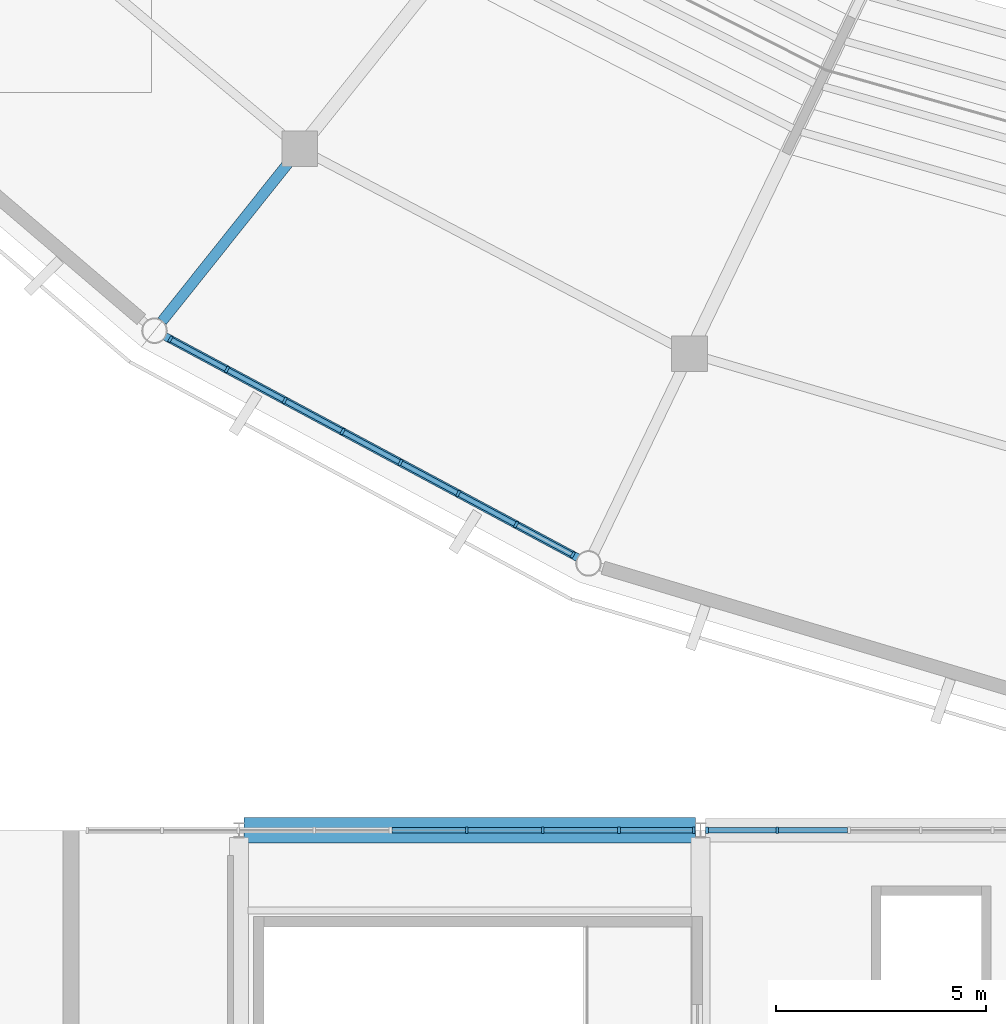
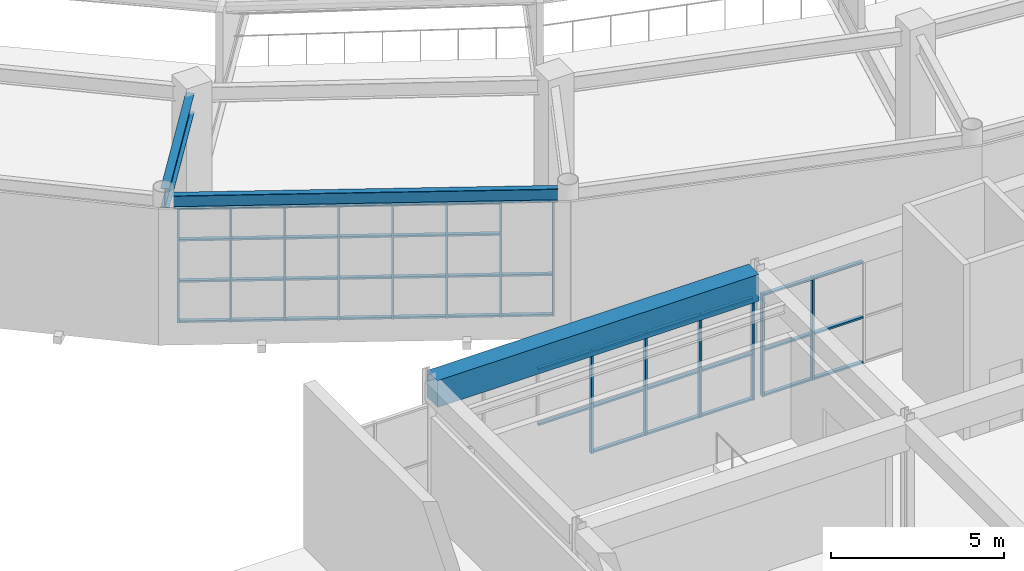
# One storey, part 23 of 122: 57 members, 3 beams, 3 elements without a shape of their own.
"""IFC4 building model written with IfcOpenShell, lengths in metres."""

import ifcopenshell
import ifcopenshell.guid

model = None  # the IFC model being written
_history = None  # IfcOwnerHistory: only IFC2X3 demands one
_inside = {}  # id of a spatial element -> (the spatial element, [elements in it])
_under = {}  # id of a project, library or spatial element -> (it, [spatial elements below it])
_declared = {}  # id of a project -> (the project, [libraries it declares])
_typed = {}  # id of a type object -> (the type object, [elements of that type])
_made_of = {}  # id of a material, layer set ... -> (it, [elements and type objects made of it])


def new_model(schema):
    """Start an empty IFC model of exactly this schema.

    Asked for "IFC4X3", IfcOpenShell would pick the latest addendum, in which some entities
    have other attributes; the version numbers below select the first issue.
    IFC2X3 requires an IfcOwnerHistory on every rooted entity: one is made here for all.
    """
    global model, _history
    if schema == "IFC4X3":
        model = ifcopenshell.file(schema_version=(4, 3, 0, 0))
    else:
        model = ifcopenshell.file(schema=schema)
    _inside.clear()
    _under.clear()
    _declared.clear()
    _typed.clear()
    _made_of.clear()
    _history = None
    if model.schema == "IFC2X3":
        org = make("IfcOrganization", Name="unknown")
        user = make(
            "IfcPersonAndOrganization",
            ThePerson=make("IfcPerson", FamilyName="unknown"),
            TheOrganization=org,
        )
        app = make(
            "IfcApplication",
            ApplicationDeveloper=org,
            Version="unknown",
            ApplicationFullName="unknown",
            ApplicationIdentifier="unknown",
        )
        _history = make(
            "IfcOwnerHistory",
            OwningUser=user,
            OwningApplication=app,
            ChangeAction="ADDED",
            CreationDate=0,
        )
    return model


def make(cls, **values):
    """One entity of the class cls with the attributes given. An attribute that is None is left unset."""
    return model.create_entity(
        cls, **{name: value for name, value in values.items() if value is not None}
    )


def rooted(cls, **values):
    """An entity with a GlobalId (a new one), such as an element, a storey or a relation."""
    return make(cls, GlobalId=ifcopenshell.guid.new(), OwnerHistory=_history, **values)


def si_unit(unit_type, name, prefix=None):
    """IfcSIUnit, for example si_unit("LENGTHUNIT", "METRE", prefix="MILLI")."""
    return make("IfcSIUnit", UnitType=unit_type, Prefix=prefix, Name=name)


def assignment(units):
    """IfcUnitAssignment: the units of a project."""
    return None if units is None else make("IfcUnitAssignment", Units=units)


def point(xyz):
    """IfcCartesianPoint."""
    return None if xyz is None else make("IfcCartesianPoint", Coordinates=xyz)


def direction(xyz):
    """IfcDirection."""
    return None if xyz is None else make("IfcDirection", DirectionRatios=xyz)


def frame(location, z_axis=None, x_axis=None):
    """IfcAxis2Placement3D, a coordinate frame: its origin and axes. An axis left out is left unset."""
    return make(
        "IfcAxis2Placement3D",
        Location=point(location),
        Axis=direction(z_axis),
        RefDirection=direction(x_axis),
    )


def frame_2d(location, x_axis=None):
    """IfcAxis2Placement2D, a coordinate frame in the plane: its origin and x axis."""
    return make(
        "IfcAxis2Placement2D", Location=point(location), RefDirection=direction(x_axis)
    )


def origin():
    """The frame at (0, 0, 0) with its axes left unset."""
    return frame((0.0, 0.0, 0.0))


def origin_2d():
    """The frame at (0, 0) in the plane with its x axis left unset."""
    return frame_2d((0.0, 0.0))


def place(relative_to, where):
    """IfcLocalPlacement: puts the frame where relative to a parent placement (None: the world)."""
    return make(
        "IfcLocalPlacement", PlacementRelTo=relative_to, RelativePlacement=where
    )


def context(
    kind, dimensions, precision=None, world=None, true_north=None, identifier=None
):
    """IfcGeometricRepresentationContext, for example the 3D "Model" context."""
    return make(
        "IfcGeometricRepresentationContext",
        ContextIdentifier=identifier,
        ContextType=kind,
        CoordinateSpaceDimension=dimensions,
        Precision=precision,
        WorldCoordinateSystem=world,
        TrueNorth=true_north,
    )


def subcontext(parent, identifier, kind, view, scale=None):
    """IfcGeometricRepresentationSubContext, for example "Body" below "Model"."""
    return make(
        "IfcGeometricRepresentationSubContext",
        ContextIdentifier=identifier,
        ContextType=kind,
        ParentContext=parent,
        TargetScale=scale,
        TargetView=view,
    )


def project(units=None, contexts=None):
    """IfcProject with its units and contexts."""
    return rooted(
        "IfcProject",
        Name="project",
        RepresentationContexts=contexts,
        UnitsInContext=assignment(units),
    )


def spatial(cls, under=None, at=None, **own):
    """A site, building, storey or space (cls), placed at a placement, below another one or the project."""
    s = rooted(cls, ObjectPlacement=at, **own)
    if under is not None:
        _under.setdefault(under.id(), (under, []))[1].append(s)
    return s


def profile(cls, at=None, kind="AREA", **sizes):
    """A parametric profile (cls). Its sizes go by their IFC names, for example OverallWidth=200.0."""
    return make(cls, ProfileType=kind, Position=at, **sizes)


def rectangle(**sizes):
    """IfcRectangleProfileDef."""
    return profile("IfcRectangleProfileDef", **sizes)


def i_section(**sizes):
    """IfcIShapeProfileDef."""
    return profile("IfcIShapeProfileDef", **sizes)


def extrude(swept, where, along, depth):
    """IfcExtrudedAreaSolid: the profile swept, set in the frame where, extruded along a direction by depth."""
    return make(
        "IfcExtrudedAreaSolid",
        SweptArea=swept,
        Position=where,
        ExtrudedDirection=direction(along),
        Depth=depth,
    )


def shape(context_of_items, identifier, shape_type, items):
    """IfcShapeRepresentation: the items that make up one representation, for example the "Body"."""
    return make(
        "IfcShapeRepresentation",
        ContextOfItems=context_of_items,
        RepresentationIdentifier=identifier,
        RepresentationType=shape_type,
        Items=items,
    )


def material(Name=None, Category=None):
    """IfcMaterial."""
    return make("IfcMaterial", Name=Name, Category=Category)


def material_profile(
    of_material, cross_section, Name=None, Category=None, Priority=None
):
    """IfcMaterialProfile: a cross section and its material."""
    return make(
        "IfcMaterialProfile",
        Name=Name,
        Material=of_material,
        Profile=cross_section,
        Priority=Priority,
        Category=Category,
    )


def profile_set(profiles, Name=None, composite=None):
    """IfcMaterialProfileSet."""
    return make(
        "IfcMaterialProfileSet",
        Name=Name,
        MaterialProfiles=profiles,
        CompositeProfile=composite,
    )


def made_of(thing, what):
    """Note that an element or type object is made of a material, layer set ...; save() writes the relation."""
    if what is not None:
        _made_of.setdefault(what.id(), (what, []))[1].append(thing)
    return thing


def type_object(cls, material=None, **own):
    """A type object (cls), such as IfcWallType, which elements share."""
    return made_of(rooted(cls, **own), material)


def element(
    cls,
    number,
    at=None,
    inside=None,
    cuts=None,
    type_object=None,
    material=None,
    context=None,
    identifier="Body",
    shape_type=None,
    held_by="IfcProductDefinitionShape",
    body=None,
    shapes=None,
    **own,
):
    """One element of the class cls, such as IfcWall. Its Tag is "e" and its number.

    at: its placement. inside: the storey or other place that contains it. cuts: it is an
    opening in that element (IfcRelVoidsElement). A single representation is given by context,
    identifier, shape_type and body (its items); several are given by shapes. held_by: the class
    of the entity that holds the representations. save() writes the other relations.
    """
    e = rooted(cls, Tag="e%d" % number, ObjectPlacement=at, **own)
    if body is not None:
        shapes = [shape(context, identifier, shape_type, body)]
    if shapes is not None:
        e.Representation = make(held_by, Representations=shapes)
    if inside is not None:
        _inside.setdefault(inside.id(), (inside, []))[1].append(e)
    if cuts is not None:
        rooted(
            "IfcRelVoidsElement", RelatingBuildingElement=cuts, RelatedOpeningElement=e
        )
    if type_object is not None:
        _typed.setdefault(type_object.id(), (type_object, []))[1].append(e)
    return made_of(e, material)


def aggregate(whole, parts):
    """IfcRelAggregates: a whole, such as a stair, and the parts it consists of."""
    return rooted("IfcRelAggregates", RelatingObject=whole, RelatedObjects=parts)


def save(model, path):
    """Write the relations noted so far, then the file.

    IfcRelAggregates (storeys below a building ...), IfcRelContainedInSpatialStructure (elements
    in a storey), IfcRelDefinesByType, IfcRelAssociatesMaterial and IfcRelDeclares: one each for
    every whole, place, type object, material and project.
    """
    for whole, parts in _under.values():
        aggregate(whole, parts)
    for where, things in _inside.values():
        rooted(
            "IfcRelContainedInSpatialStructure",
            RelatedElements=things,
            RelatingStructure=where,
        )
    for kind, things in _typed.values():
        rooted("IfcRelDefinesByType", RelatedObjects=things, RelatingType=kind)
    for what, things in _made_of.values():
        rooted("IfcRelAssociatesMaterial", RelatedObjects=things, RelatingMaterial=what)
    for by, libraries in _declared.values():
        rooted("IfcRelDeclares", RelatingContext=by, RelatedDefinitions=libraries)
    model.write(path)


model = new_model("IFC4")

# Units and contexts
model_context = context("Model", 3, precision=1e-05, world=origin(), true_north=direction((0.0, 1.0)))
body_context = subcontext(model_context, "Body", "Model", "MODEL_VIEW")
ifc_project = project(units=[si_unit("LENGTHUNIT", "METRE"), si_unit("AREAUNIT", "SQUARE_METRE"), si_unit("VOLUMEUNIT", "CUBIC_METRE"), si_unit("PLANEANGLEUNIT", "RADIAN"), si_unit("MASSUNIT", "GRAM", prefix="KILO")], contexts=[model_context])

# Site, building, storey
site_placement = place(None, origin())
site = spatial("IfcSite", under=ifc_project, at=site_placement, CompositionType="ELEMENT")
building_placement = place(site_placement, origin())
building = spatial("IfcBuilding", under=site, at=building_placement, Name="Cuetzalor Civic Arena", CompositionType="ELEMENT")
storey_placement = place(building_placement, frame((0.0, 0.0, 16.199951171875)))
storey = spatial("IfcBuildingStorey", under=building, at=storey_placement, Name="L03", CompositionType="ELEMENT", Elevation=16.199951171875)

# Beam
ifc_material_1 = material(Name="Concrete C40/50", Category="concrete")
ifc_material_profile_1 = material_profile(ifc_material_1, rectangle(XDim=0.60009765625, YDim=0.949951171875, at=origin_2d()), Name="RC 600x950")
ifc_profile_set_1 = profile_set([ifc_material_profile_1], Name="Concrete C40/50")
beam_type_1 = type_object("IfcBeamType", Name="ConcreteFrameBeam_600x950", PredefinedType="BEAM", material=ifc_profile_set_1)
beam_1_placement = place(storey_placement, frame((-31.881591796875, -48.300048828125, 4.10498046875), z_axis=(1.0, 0.0, 0.0), x_axis=(0.0, 1.0, 0.0)))
element("IfcBeam", 1, at=beam_1_placement, inside=storey, type_object=beam_type_1, Name="Frame Girder V3-L03-X0864", PredefinedType="BEAM", context=body_context, shape_type="SweptSolid", body=[
    extrude(rectangle(XDim=0.60009765625, YDim=0.949951171875, at=origin_2d()), origin(), (0.0, 0.0, 1.0), 10.76318359375),
])

# Curtain wall, members
ifc_material_2 = material(Name="Anodised dark bronze aluminium and low-E solar glass", Category="aluminium")
curtain_wall_type_1 = type_object("IfcCurtainWallType", Name="UnitisedCW_10950x4050", PredefinedType="USERDEFINED", material=ifc_material_2)
curtain_wall_1_placement = place(storey_placement, origin())
curtain_wall_1 = element("IfcCurtainWall", 2, at=curtain_wall_1_placement, inside=storey, type_object=curtain_wall_type_1, Name="Drum Triangle Foyer Curtain Wall L03-052", ObjectType="UNITISED CURTAIN WALL", PredefinedType="USERDEFINED")
ifc_material_3 = material(Name="Anodised dark bronze aluminium", Category="aluminium")
ifc_material_profile_2 = material_profile(ifc_material_3, rectangle(XDim=0.06494140625, YDim=0.14990234375, at=origin_2d()), Name="ALU MULLION 65x150")
ifc_profile_set_2 = profile_set([ifc_material_profile_2], Name="Anodised dark bronze aluminium")
member_type_1 = type_object("IfcMemberType", Name="CurtainWallMullion_60x150", PredefinedType="MULLION", material=ifc_profile_set_2)
member_1_placement = place(storey_placement, frame((-24.044921875, -41.738037109375, 0.0), z_axis=(0.0, 0.0, 1.0), x_axis=(-0.881306344124, 0.472545371163, 0.0)))
member_1 = element("IfcMember", 3, at=member_1_placement, type_object=member_type_1, Name="CW-13 mullion 1", PredefinedType="MULLION", context=body_context, shape_type="SweptSolid", body=[
    extrude(rectangle(XDim=0.06494140625, YDim=0.14990234375, at=origin_2d()), origin(), (0.0, 0.0, 1.0), 4.052978515625),
])
member_2_placement = place(storey_placement, frame((-25.39453125, -41.0146484375, 0.0), z_axis=(0.0, 0.0, 1.0), x_axis=(-0.881306344124, 0.472545371163, 0.0)))
member_2 = element("IfcMember", 4, at=member_2_placement, type_object=member_type_1, Name="CW-13 mullion 2", PredefinedType="MULLION", context=body_context, shape_type="SweptSolid", body=[
    extrude(rectangle(XDim=0.06494140625, YDim=0.14990234375, at=origin_2d()), origin(), (0.0, 0.0, 1.0), 4.052978515625),
])
member_3_placement = place(storey_placement, frame((-26.772705078125, -40.275634765625, 0.0), z_axis=(0.0, 0.0, 1.0), x_axis=(-0.881306344124, 0.472545371163, 0.0)))
member_3 = element("IfcMember", 5, at=member_3_placement, type_object=member_type_1, Name="CW-13 mullion 3", PredefinedType="MULLION", context=body_context, shape_type="SweptSolid", body=[
    extrude(rectangle(XDim=0.06494140625, YDim=0.14990234375, at=origin_2d()), origin(), (0.0, 0.0, 1.0), 4.052978515625),
])
member_4_placement = place(storey_placement, frame((-28.15087890625, -39.53662109375, 0.0), z_axis=(0.0, 0.0, 1.0), x_axis=(-0.881306344124, 0.472545371163, 0.0)))
member_4 = element("IfcMember", 6, at=member_4_placement, type_object=member_type_1, Name="CW-13 mullion 4", PredefinedType="MULLION", context=body_context, shape_type="SweptSolid", body=[
    extrude(rectangle(XDim=0.06494140625, YDim=0.14990234375, at=origin_2d()), origin(), (0.0, 0.0, 1.0), 4.052978515625),
])
member_5_placement = place(storey_placement, frame((-29.529052734375, -38.797607421875, 0.0), z_axis=(0.0, 0.0, 1.0), x_axis=(-0.881306344124, 0.472545371163, 0.0)))
member_5 = element("IfcMember", 7, at=member_5_placement, type_object=member_type_1, Name="CW-13 mullion 5", PredefinedType="MULLION", context=body_context, shape_type="SweptSolid", body=[
    extrude(rectangle(XDim=0.06494140625, YDim=0.14990234375, at=origin_2d()), origin(), (0.0, 0.0, 1.0), 4.052978515625),
])
member_6_placement = place(storey_placement, frame((-30.9072265625, -38.058837890625, 0.0), z_axis=(0.0, 0.0, 1.0), x_axis=(-0.881306344124, 0.472545371163, 0.0)))
member_6 = element("IfcMember", 8, at=member_6_placement, type_object=member_type_1, Name="CW-13 mullion 6", PredefinedType="MULLION", context=body_context, shape_type="SweptSolid", body=[
    extrude(rectangle(XDim=0.06494140625, YDim=0.14990234375, at=origin_2d()), origin(), (0.0, 0.0, 1.0), 4.052978515625),
])
member_7_placement = place(storey_placement, frame((-32.28515625, -37.31982421875, 0.0), z_axis=(0.0, 0.0, 1.0), x_axis=(-0.881306344124, 0.472545371163, 0.0)))
member_7 = element("IfcMember", 9, at=member_7_placement, type_object=member_type_1, Name="CW-13 mullion 7", PredefinedType="MULLION", context=body_context, shape_type="SweptSolid", body=[
    extrude(rectangle(XDim=0.06494140625, YDim=0.14990234375, at=origin_2d()), origin(), (0.0, 0.0, 1.0), 4.052978515625),
])
member_8_placement = place(storey_placement, frame((-33.634765625, -36.59619140625, 0.0), z_axis=(0.0, 0.0, 1.0), x_axis=(-0.881306344124, 0.472545371163, 0.0)))
member_8 = element("IfcMember", 10, at=member_8_placement, type_object=member_type_1, Name="CW-13 mullion 8", PredefinedType="MULLION", context=body_context, shape_type="SweptSolid", body=[
    extrude(rectangle(XDim=0.06494140625, YDim=0.14990234375, at=origin_2d()), origin(), (0.0, 0.0, 1.0), 4.052978515625),
])

ifc_material_4 = material(Name="Anodised dark bronze aluminium and low-E solar glass", Category="aluminium")
curtain_wall_type_2 = type_object("IfcCurtainWallType", Name="StickCW_14550x3600", PredefinedType="USERDEFINED", material=ifc_material_4)
curtain_wall_2_placement = place(storey_placement, origin())
curtain_wall_2 = element("IfcCurtainWall", 11, at=curtain_wall_2_placement, inside=storey, type_object=curtain_wall_type_2, Name="Foyer North Clerestory Curtain Wall L03-092", ObjectType="STICK CURTAIN WALL", PredefinedType="USERDEFINED")
member_9_placement = place(storey_placement, frame((-26.571533203125, -48.300048828125, 0.0), z_axis=(0.0, 0.0, 1.0), x_axis=(1.0, 0.0, 0.0)))
member_9 = element("IfcMember", 12, at=member_9_placement, type_object=member_type_1, Name="CW-28 mullion 6", PredefinedType="MULLION", context=body_context, shape_type="SweptSolid", body=[
    extrude(rectangle(XDim=0.06494140625, YDim=0.14990234375, at=origin_2d()), origin(), (0.0, 0.0, 1.0), 3.6201171875),
])
member_10_placement = place(storey_placement, frame((-24.755859375, -48.300048828125, 0.0), z_axis=(0.0, 0.0, 1.0), x_axis=(1.0, 0.0, 0.0)))
member_10 = element("IfcMember", 13, at=member_10_placement, type_object=member_type_1, Name="CW-28 mullion 7", PredefinedType="MULLION", context=body_context, shape_type="SweptSolid", body=[
    extrude(rectangle(XDim=0.06494140625, YDim=0.14990234375, at=origin_2d()), origin(), (0.0, 0.0, 1.0), 3.6201171875),
])
member_11_placement = place(storey_placement, frame((-22.940185546875, -48.300048828125, 0.0), z_axis=(0.0, 0.0, 1.0), x_axis=(1.0, 0.0, 0.0)))
member_11 = element("IfcMember", 14, at=member_11_placement, type_object=member_type_1, Name="CW-28 mullion 8", PredefinedType="MULLION", context=body_context, shape_type="SweptSolid", body=[
    extrude(rectangle(XDim=0.06494140625, YDim=0.14990234375, at=origin_2d()), origin(), (0.0, 0.0, 1.0), 3.6201171875),
])
member_12_placement = place(storey_placement, frame((-21.156982421875, -48.300048828125, 0.0), z_axis=(0.0, 0.0, 1.0), x_axis=(1.0, 0.0, 0.0)))
member_12 = element("IfcMember", 15, at=member_12_placement, type_object=member_type_1, Name="CW-28 mullion 9", PredefinedType="MULLION", context=body_context, shape_type="SweptSolid", body=[
    extrude(rectangle(XDim=0.06494140625, YDim=0.14990234375, at=origin_2d()), origin(), (0.0, 0.0, 1.0), 3.6201171875),
])

ifc_material_5 = material(Name="Anodised dark bronze aluminium and low-E solar glass", Category="aluminium")
curtain_wall_type_3 = type_object("IfcCurtainWallType", Name="StickCW_10250x3600", PredefinedType="USERDEFINED", material=ifc_material_5)
curtain_wall_3_placement = place(storey_placement, origin())
curtain_wall_3 = element("IfcCurtainWall", 16, at=curtain_wall_3_placement, inside=storey, type_object=curtain_wall_type_3, Name="Foyer North Clerestory Curtain Wall L03-094", ObjectType="STICK CURTAIN WALL", PredefinedType="USERDEFINED")
member_13_placement = place(storey_placement, frame((-20.843017578125, -48.300048828125, 0.0), z_axis=(0.0, 0.0, 1.0), x_axis=(1.0, 0.0, 0.0)))
member_13 = element("IfcMember", 17, at=member_13_placement, type_object=member_type_1, Name="CW-29 mullion 1", PredefinedType="MULLION", context=body_context, shape_type="SweptSolid", body=[
    extrude(rectangle(XDim=0.06494140625, YDim=0.14990234375, at=origin_2d()), origin(), (0.0, 0.0, 1.0), 3.6201171875),
])
member_14_placement = place(storey_placement, frame((-19.1669921875, -48.300048828125, 0.0), z_axis=(0.0, 0.0, 1.0), x_axis=(1.0, 0.0, 0.0)))
member_14 = element("IfcMember", 18, at=member_14_placement, type_object=member_type_1, Name="CW-29 mullion 2", PredefinedType="MULLION", context=body_context, shape_type="SweptSolid", body=[
    extrude(rectangle(XDim=0.06494140625, YDim=0.14990234375, at=origin_2d()), origin(), (0.0, 0.0, 1.0), 3.6201171875),
])

# Member
ifc_material_6 = material(Name="Anodised dark bronze aluminium", Category="aluminium")
ifc_material_profile_3 = material_profile(ifc_material_6, rectangle(XDim=0.1201171875, YDim=0.06494140625, at=origin_2d()), Name="ALU TRANSOM 65x120")
ifc_profile_set_3 = profile_set([ifc_material_profile_3], Name="Anodised dark bronze aluminium")
member_type_2 = type_object("IfcMemberType", Name="CurtainWallTransom_60x120", PredefinedType="USERDEFINED", material=ifc_profile_set_3)
member_15_placement = place(storey_placement, frame((-24.07373046875, -41.722900390625, 0.032470703125), z_axis=(-0.881309117216, 0.472540199255, 0.0), x_axis=(-0.472540199255, -0.881309117216, 0.0)))
member_15 = element("IfcMember", 19, at=member_15_placement, type_object=member_type_2, Name="CW-13 transom 1.1", ObjectType="TRANSOM", PredefinedType="USERDEFINED", context=body_context, shape_type="SweptSolid", body=[
    extrude(rectangle(XDim=0.1201171875, YDim=0.06494140625, at=origin_2d()), origin(), (0.0, 0.0, 1.0), 1.46630859375),
])

member_16_placement = place(storey_placement, frame((-24.07373046875, -41.722900390625, 1.458984375), z_axis=(-0.881309117216, 0.472540199255, 0.0), x_axis=(-0.472540199255, -0.881309117216, 0.0)))
member_16 = element("IfcMember", 20, at=member_16_placement, type_object=member_type_2, Name="CW-13 transom 1.2", ObjectType="TRANSOM", PredefinedType="USERDEFINED", context=body_context, shape_type="SweptSolid", body=[
    extrude(rectangle(XDim=0.1201171875, YDim=0.06494140625, at=origin_2d()), origin(), (0.0, 0.0, 1.0), 1.46630859375),
])

member_17_placement = place(storey_placement, frame((-25.423095703125, -40.999267578125, 0.032470703125), z_axis=(-0.881327378195, 0.472506140112, 0.0), x_axis=(-0.472506140112, -0.881327378195, 0.0)))
member_17 = element("IfcMember", 21, at=member_17_placement, type_object=member_type_2, Name="CW-13 transom 2.1", ObjectType="TRANSOM", PredefinedType="USERDEFINED", context=body_context, shape_type="SweptSolid", body=[
    extrude(rectangle(XDim=0.1201171875, YDim=0.06494140625, at=origin_2d()), origin(), (0.0, 0.0, 1.0), 1.4990234375),
])

member_18_placement = place(storey_placement, frame((-25.423095703125, -40.999267578125, 1.458984375), z_axis=(-0.881327378195, 0.472506140112, 0.0), x_axis=(-0.472506140112, -0.881327378195, 0.0)))
member_18 = element("IfcMember", 22, at=member_18_placement, type_object=member_type_2, Name="CW-13 transom 2.2", ObjectType="TRANSOM", PredefinedType="USERDEFINED", context=body_context, shape_type="SweptSolid", body=[
    extrude(rectangle(XDim=0.1201171875, YDim=0.06494140625, at=origin_2d()), origin(), (0.0, 0.0, 1.0), 1.4990234375),
])

member_19_placement = place(storey_placement, frame((-25.423095703125, -40.999267578125, 2.91796875), z_axis=(-0.881327378195, 0.472506140112, 0.0), x_axis=(-0.472506140112, -0.881327378195, 0.0)))
member_19 = element("IfcMember", 23, at=member_19_placement, type_object=member_type_2, Name="CW-13 transom 2.3", ObjectType="TRANSOM", PredefinedType="USERDEFINED", context=body_context, shape_type="SweptSolid", body=[
    extrude(rectangle(XDim=0.1201171875, YDim=0.06494140625, at=origin_2d()), origin(), (0.0, 0.0, 1.0), 1.4990234375),
])

member_20_placement = place(storey_placement, frame((-25.423095703125, -40.999267578125, 4.0205078125), z_axis=(-0.881327378195, 0.472506140112, 0.0), x_axis=(-0.472506140112, -0.881327378195, 0.0)))
member_20 = element("IfcMember", 24, at=member_20_placement, type_object=member_type_2, Name="CW-13 transom 2.4", ObjectType="TRANSOM", PredefinedType="USERDEFINED", context=body_context, shape_type="SweptSolid", body=[
    extrude(rectangle(XDim=0.1201171875, YDim=0.06494140625, at=origin_2d()), origin(), (0.0, 0.0, 1.0), 1.4990234375),
])

member_21_placement = place(storey_placement, frame((-26.80126953125, -40.26025390625, 0.032470703125), z_axis=(-0.881291006113, 0.472573975737, 0.0), x_axis=(-0.472573975737, -0.881291006113, 0.0)))
member_21 = element("IfcMember", 25, at=member_21_placement, type_object=member_type_2, Name="CW-13 transom 3.1", ObjectType="TRANSOM", PredefinedType="USERDEFINED", context=body_context, shape_type="SweptSolid", body=[
    extrude(rectangle(XDim=0.1201171875, YDim=0.06494140625, at=origin_2d()), origin(), (0.0, 0.0, 1.0), 1.498779296875),
])

member_22_placement = place(storey_placement, frame((-26.80126953125, -40.26025390625, 1.458984375), z_axis=(-0.881291006113, 0.472573975737, 0.0), x_axis=(-0.472573975737, -0.881291006113, 0.0)))
member_22 = element("IfcMember", 26, at=member_22_placement, type_object=member_type_2, Name="CW-13 transom 3.2", ObjectType="TRANSOM", PredefinedType="USERDEFINED", context=body_context, shape_type="SweptSolid", body=[
    extrude(rectangle(XDim=0.1201171875, YDim=0.06494140625, at=origin_2d()), origin(), (0.0, 0.0, 1.0), 1.498779296875),
])

member_23_placement = place(storey_placement, frame((-26.80126953125, -40.26025390625, 2.91796875), z_axis=(-0.881291006113, 0.472573975737, 0.0), x_axis=(-0.472573975737, -0.881291006113, 0.0)))
member_23 = element("IfcMember", 27, at=member_23_placement, type_object=member_type_2, Name="CW-13 transom 3.3", ObjectType="TRANSOM", PredefinedType="USERDEFINED", context=body_context, shape_type="SweptSolid", body=[
    extrude(rectangle(XDim=0.1201171875, YDim=0.06494140625, at=origin_2d()), origin(), (0.0, 0.0, 1.0), 1.498779296875),
])

member_24_placement = place(storey_placement, frame((-26.80126953125, -40.26025390625, 4.0205078125), z_axis=(-0.881291006113, 0.472573975737, 0.0), x_axis=(-0.472573975737, -0.881291006113, 0.0)))
member_24 = element("IfcMember", 28, at=member_24_placement, type_object=member_type_2, Name="CW-13 transom 3.4", ObjectType="TRANSOM", PredefinedType="USERDEFINED", context=body_context, shape_type="SweptSolid", body=[
    extrude(rectangle(XDim=0.1201171875, YDim=0.06494140625, at=origin_2d()), origin(), (0.0, 0.0, 1.0), 1.498779296875),
])

member_25_placement = place(storey_placement, frame((-28.179443359375, -39.521240234375, 0.032470703125), z_axis=(-0.881291006113, 0.472573975737, 0.0), x_axis=(-0.472573975737, -0.881291006113, 0.0)))
member_25 = element("IfcMember", 29, at=member_25_placement, type_object=member_type_2, Name="CW-13 transom 4.1", ObjectType="TRANSOM", PredefinedType="USERDEFINED", context=body_context, shape_type="SweptSolid", body=[
    extrude(rectangle(XDim=0.1201171875, YDim=0.06494140625, at=origin_2d()), origin(), (0.0, 0.0, 1.0), 1.498779296875),
])

member_26_placement = place(storey_placement, frame((-28.179443359375, -39.521240234375, 1.458984375), z_axis=(-0.881291006113, 0.472573975737, 0.0), x_axis=(-0.472573975737, -0.881291006113, 0.0)))
member_26 = element("IfcMember", 30, at=member_26_placement, type_object=member_type_2, Name="CW-13 transom 4.2", ObjectType="TRANSOM", PredefinedType="USERDEFINED", context=body_context, shape_type="SweptSolid", body=[
    extrude(rectangle(XDim=0.1201171875, YDim=0.06494140625, at=origin_2d()), origin(), (0.0, 0.0, 1.0), 1.498779296875),
])

member_27_placement = place(storey_placement, frame((-28.179443359375, -39.521240234375, 2.91796875), z_axis=(-0.881291006113, 0.472573975737, 0.0), x_axis=(-0.472573975737, -0.881291006113, 0.0)))
member_27 = element("IfcMember", 31, at=member_27_placement, type_object=member_type_2, Name="CW-13 transom 4.3", ObjectType="TRANSOM", PredefinedType="USERDEFINED", context=body_context, shape_type="SweptSolid", body=[
    extrude(rectangle(XDim=0.1201171875, YDim=0.06494140625, at=origin_2d()), origin(), (0.0, 0.0, 1.0), 1.498779296875),
])

member_28_placement = place(storey_placement, frame((-28.179443359375, -39.521240234375, 4.0205078125), z_axis=(-0.881291006113, 0.472573975737, 0.0), x_axis=(-0.472573975737, -0.881291006113, 0.0)))
member_28 = element("IfcMember", 32, at=member_28_placement, type_object=member_type_2, Name="CW-13 transom 4.4", ObjectType="TRANSOM", PredefinedType="USERDEFINED", context=body_context, shape_type="SweptSolid", body=[
    extrude(rectangle(XDim=0.1201171875, YDim=0.06494140625, at=origin_2d()), origin(), (0.0, 0.0, 1.0), 1.498779296875),
])

member_29_placement = place(storey_placement, frame((-29.5576171875, -38.782470703125, 0.032470703125), z_axis=(-0.881291006113, 0.472573975737, 0.0), x_axis=(-0.472573975737, -0.881291006113, 0.0)))
member_29 = element("IfcMember", 33, at=member_29_placement, type_object=member_type_2, Name="CW-13 transom 5.1", ObjectType="TRANSOM", PredefinedType="USERDEFINED", context=body_context, shape_type="SweptSolid", body=[
    extrude(rectangle(XDim=0.1201171875, YDim=0.06494140625, at=origin_2d()), origin(), (0.0, 0.0, 1.0), 1.498779296875),
])

member_30_placement = place(storey_placement, frame((-29.5576171875, -38.782470703125, 1.458984375), z_axis=(-0.881291006113, 0.472573975737, 0.0), x_axis=(-0.472573975737, -0.881291006113, 0.0)))
member_30 = element("IfcMember", 34, at=member_30_placement, type_object=member_type_2, Name="CW-13 transom 5.2", ObjectType="TRANSOM", PredefinedType="USERDEFINED", context=body_context, shape_type="SweptSolid", body=[
    extrude(rectangle(XDim=0.1201171875, YDim=0.06494140625, at=origin_2d()), origin(), (0.0, 0.0, 1.0), 1.498779296875),
])

member_31_placement = place(storey_placement, frame((-29.5576171875, -38.782470703125, 2.91796875), z_axis=(-0.881291006113, 0.472573975737, 0.0), x_axis=(-0.472573975737, -0.881291006113, 0.0)))
member_31 = element("IfcMember", 35, at=member_31_placement, type_object=member_type_2, Name="CW-13 transom 5.3", ObjectType="TRANSOM", PredefinedType="USERDEFINED", context=body_context, shape_type="SweptSolid", body=[
    extrude(rectangle(XDim=0.1201171875, YDim=0.06494140625, at=origin_2d()), origin(), (0.0, 0.0, 1.0), 1.498779296875),
])

member_32_placement = place(storey_placement, frame((-29.5576171875, -38.782470703125, 4.0205078125), z_axis=(-0.881291006113, 0.472573975737, 0.0), x_axis=(-0.472573975737, -0.881291006113, 0.0)))
member_32 = element("IfcMember", 36, at=member_32_placement, type_object=member_type_2, Name="CW-13 transom 5.4", ObjectType="TRANSOM", PredefinedType="USERDEFINED", context=body_context, shape_type="SweptSolid", body=[
    extrude(rectangle(XDim=0.1201171875, YDim=0.06494140625, at=origin_2d()), origin(), (0.0, 0.0, 1.0), 1.498779296875),
])

member_33_placement = place(storey_placement, frame((-30.935791015625, -38.04345703125, 0.032470703125), z_axis=(-0.881291006113, 0.472573975737, 0.0), x_axis=(-0.472573975737, -0.881291006113, 0.0)))
member_33 = element("IfcMember", 37, at=member_33_placement, type_object=member_type_2, Name="CW-13 transom 6.1", ObjectType="TRANSOM", PredefinedType="USERDEFINED", context=body_context, shape_type="SweptSolid", body=[
    extrude(rectangle(XDim=0.1201171875, YDim=0.06494140625, at=origin_2d()), origin(), (0.0, 0.0, 1.0), 1.498779296875),
])

member_34_placement = place(storey_placement, frame((-30.935791015625, -38.04345703125, 1.458984375), z_axis=(-0.881291006113, 0.472573975737, 0.0), x_axis=(-0.472573975737, -0.881291006113, 0.0)))
member_34 = element("IfcMember", 38, at=member_34_placement, type_object=member_type_2, Name="CW-13 transom 6.2", ObjectType="TRANSOM", PredefinedType="USERDEFINED", context=body_context, shape_type="SweptSolid", body=[
    extrude(rectangle(XDim=0.1201171875, YDim=0.06494140625, at=origin_2d()), origin(), (0.0, 0.0, 1.0), 1.498779296875),
])

member_35_placement = place(storey_placement, frame((-30.935791015625, -38.04345703125, 2.91796875), z_axis=(-0.881291006113, 0.472573975737, 0.0), x_axis=(-0.472573975737, -0.881291006113, 0.0)))
member_35 = element("IfcMember", 39, at=member_35_placement, type_object=member_type_2, Name="CW-13 transom 6.3", ObjectType="TRANSOM", PredefinedType="USERDEFINED", context=body_context, shape_type="SweptSolid", body=[
    extrude(rectangle(XDim=0.1201171875, YDim=0.06494140625, at=origin_2d()), origin(), (0.0, 0.0, 1.0), 1.498779296875),
])

member_36_placement = place(storey_placement, frame((-30.935791015625, -38.04345703125, 4.0205078125), z_axis=(-0.881291006113, 0.472573975737, 0.0), x_axis=(-0.472573975737, -0.881291006113, 0.0)))
member_36 = element("IfcMember", 40, at=member_36_placement, type_object=member_type_2, Name="CW-13 transom 6.4", ObjectType="TRANSOM", PredefinedType="USERDEFINED", context=body_context, shape_type="SweptSolid", body=[
    extrude(rectangle(XDim=0.1201171875, YDim=0.06494140625, at=origin_2d()), origin(), (0.0, 0.0, 1.0), 1.498779296875),
])

member_37_placement = place(storey_placement, frame((-32.31396484375, -37.304443359375, 0.032470703125), z_axis=(-0.881309117216, 0.472540199255, 0.0), x_axis=(-0.472540199255, -0.881309117216, 0.0)))
member_37 = element("IfcMember", 41, at=member_37_placement, type_object=member_type_2, Name="CW-13 transom 7.1", ObjectType="TRANSOM", PredefinedType="USERDEFINED", context=body_context, shape_type="SweptSolid", body=[
    extrude(rectangle(XDim=0.1201171875, YDim=0.06494140625, at=origin_2d()), origin(), (0.0, 0.0, 1.0), 1.46630859375),
])

member_38_placement = place(storey_placement, frame((-32.31396484375, -37.304443359375, 1.458984375), z_axis=(-0.881309117216, 0.472540199255, 0.0), x_axis=(-0.472540199255, -0.881309117216, 0.0)))
member_38 = element("IfcMember", 42, at=member_38_placement, type_object=member_type_2, Name="CW-13 transom 7.2", ObjectType="TRANSOM", PredefinedType="USERDEFINED", context=body_context, shape_type="SweptSolid", body=[
    extrude(rectangle(XDim=0.1201171875, YDim=0.06494140625, at=origin_2d()), origin(), (0.0, 0.0, 1.0), 1.46630859375),
])

member_39_placement = place(storey_placement, frame((-32.31396484375, -37.304443359375, 2.91796875), z_axis=(-0.881309117216, 0.472540199255, 0.0), x_axis=(-0.472540199255, -0.881309117216, 0.0)))
member_39 = element("IfcMember", 43, at=member_39_placement, type_object=member_type_2, Name="CW-13 transom 7.3", ObjectType="TRANSOM", PredefinedType="USERDEFINED", context=body_context, shape_type="SweptSolid", body=[
    extrude(rectangle(XDim=0.1201171875, YDim=0.06494140625, at=origin_2d()), origin(), (0.0, 0.0, 1.0), 1.46630859375),
])

member_40_placement = place(storey_placement, frame((-32.31396484375, -37.304443359375, 4.0205078125), z_axis=(-0.881309117216, 0.472540199255, 0.0), x_axis=(-0.472540199255, -0.881309117216, 0.0)))
member_40 = element("IfcMember", 44, at=member_40_placement, type_object=member_type_2, Name="CW-13 transom 7.4", ObjectType="TRANSOM", PredefinedType="USERDEFINED", context=body_context, shape_type="SweptSolid", body=[
    extrude(rectangle(XDim=0.1201171875, YDim=0.06494140625, at=origin_2d()), origin(), (0.0, 0.0, 1.0), 1.46630859375),
])

aggregate(curtain_wall_1, [member_1, member_2, member_3, member_4, member_5, member_6, member_7, member_8, member_15, member_16, member_17, member_18, member_19, member_20, member_21, member_22, member_23, member_24, member_25, member_26, member_27, member_28, member_29, member_30, member_31, member_32, member_33, member_34, member_35, member_36, member_37, member_38, member_39, member_40])

member_41_placement = place(storey_placement, frame((-28.354736328125, -48.300048828125, 1.629150390625), z_axis=(1.0, 0.0, 0.0), x_axis=(0.0, 1.0, 0.0)))
member_41 = element("IfcMember", 45, at=member_41_placement, type_object=member_type_2, Name="CW-28 transom 5.2", ObjectType="TRANSOM", PredefinedType="USERDEFINED", context=body_context, shape_type="SweptSolid", body=[
    extrude(rectangle(XDim=0.1201171875, YDim=0.06494140625, at=origin_2d()), origin(), (0.0, 0.0, 1.0), 1.750732421875),
])

member_42_placement = place(storey_placement, frame((-28.354736328125, -48.300048828125, 3.587646484375), z_axis=(1.0, 0.0, 0.0), x_axis=(0.0, 1.0, 0.0)))
member_42 = element("IfcMember", 46, at=member_42_placement, type_object=member_type_2, Name="CW-28 transom 5.3", ObjectType="TRANSOM", PredefinedType="USERDEFINED", context=body_context, shape_type="SweptSolid", body=[
    extrude(rectangle(XDim=0.1201171875, YDim=0.06494140625, at=origin_2d()), origin(), (0.0, 0.0, 1.0), 1.750732421875),
])

member_43_placement = place(storey_placement, frame((-26.5390625, -48.300048828125, 0.032470703125), z_axis=(1.0, 0.0, 0.0), x_axis=(0.0, 1.0, 0.0)))
member_43 = element("IfcMember", 47, at=member_43_placement, type_object=member_type_2, Name="CW-28 transom 6.1", ObjectType="TRANSOM", PredefinedType="USERDEFINED", context=body_context, shape_type="SweptSolid", body=[
    extrude(rectangle(XDim=0.1201171875, YDim=0.06494140625, at=origin_2d()), origin(), (0.0, 0.0, 1.0), 1.750732421875),
])

member_44_placement = place(storey_placement, frame((-26.5390625, -48.300048828125, 1.629150390625), z_axis=(1.0, 0.0, 0.0), x_axis=(0.0, 1.0, 0.0)))
member_44 = element("IfcMember", 48, at=member_44_placement, type_object=member_type_2, Name="CW-28 transom 6.2", ObjectType="TRANSOM", PredefinedType="USERDEFINED", context=body_context, shape_type="SweptSolid", body=[
    extrude(rectangle(XDim=0.1201171875, YDim=0.06494140625, at=origin_2d()), origin(), (0.0, 0.0, 1.0), 1.750732421875),
])

member_45_placement = place(storey_placement, frame((-26.5390625, -48.300048828125, 3.587646484375), z_axis=(1.0, 0.0, 0.0), x_axis=(0.0, 1.0, 0.0)))
member_45 = element("IfcMember", 49, at=member_45_placement, type_object=member_type_2, Name="CW-28 transom 6.3", ObjectType="TRANSOM", PredefinedType="USERDEFINED", context=body_context, shape_type="SweptSolid", body=[
    extrude(rectangle(XDim=0.1201171875, YDim=0.06494140625, at=origin_2d()), origin(), (0.0, 0.0, 1.0), 1.750732421875),
])

member_46_placement = place(storey_placement, frame((-24.723388671875, -48.300048828125, 0.032470703125), z_axis=(1.0, 0.0, 0.0), x_axis=(0.0, 1.0, 0.0)))
member_46 = element("IfcMember", 50, at=member_46_placement, type_object=member_type_2, Name="CW-28 transom 7.1", ObjectType="TRANSOM", PredefinedType="USERDEFINED", context=body_context, shape_type="SweptSolid", body=[
    extrude(rectangle(XDim=0.1201171875, YDim=0.06494140625, at=origin_2d()), origin(), (0.0, 0.0, 1.0), 1.750732421875),
])

member_47_placement = place(storey_placement, frame((-24.723388671875, -48.300048828125, 1.629150390625), z_axis=(1.0, 0.0, 0.0), x_axis=(0.0, 1.0, 0.0)))
member_47 = element("IfcMember", 51, at=member_47_placement, type_object=member_type_2, Name="CW-28 transom 7.2", ObjectType="TRANSOM", PredefinedType="USERDEFINED", context=body_context, shape_type="SweptSolid", body=[
    extrude(rectangle(XDim=0.1201171875, YDim=0.06494140625, at=origin_2d()), origin(), (0.0, 0.0, 1.0), 1.750732421875),
])

member_48_placement = place(storey_placement, frame((-24.723388671875, -48.300048828125, 3.587646484375), z_axis=(1.0, 0.0, 0.0), x_axis=(0.0, 1.0, 0.0)))
member_48 = element("IfcMember", 52, at=member_48_placement, type_object=member_type_2, Name="CW-28 transom 7.3", ObjectType="TRANSOM", PredefinedType="USERDEFINED", context=body_context, shape_type="SweptSolid", body=[
    extrude(rectangle(XDim=0.1201171875, YDim=0.06494140625, at=origin_2d()), origin(), (0.0, 0.0, 1.0), 1.750732421875),
])

member_49_placement = place(storey_placement, frame((-22.90771484375, -48.300048828125, 0.032470703125), z_axis=(1.0, 0.0, 0.0), x_axis=(0.0, 1.0, 0.0)))
member_49 = element("IfcMember", 53, at=member_49_placement, type_object=member_type_2, Name="CW-28 transom 8.1", ObjectType="TRANSOM", PredefinedType="USERDEFINED", context=body_context, shape_type="SweptSolid", body=[
    extrude(rectangle(XDim=0.1201171875, YDim=0.06494140625, at=origin_2d()), origin(), (0.0, 0.0, 1.0), 1.71826171875),
])

member_50_placement = place(storey_placement, frame((-22.90771484375, -48.300048828125, 1.629150390625), z_axis=(1.0, 0.0, 0.0), x_axis=(0.0, 1.0, 0.0)))
member_50 = element("IfcMember", 54, at=member_50_placement, type_object=member_type_2, Name="CW-28 transom 8.2", ObjectType="TRANSOM", PredefinedType="USERDEFINED", context=body_context, shape_type="SweptSolid", body=[
    extrude(rectangle(XDim=0.1201171875, YDim=0.06494140625, at=origin_2d()), origin(), (0.0, 0.0, 1.0), 1.71826171875),
])

member_51_placement = place(storey_placement, frame((-22.90771484375, -48.300048828125, 3.587646484375), z_axis=(1.0, 0.0, 0.0), x_axis=(0.0, 1.0, 0.0)))
member_51 = element("IfcMember", 55, at=member_51_placement, type_object=member_type_2, Name="CW-28 transom 8.3", ObjectType="TRANSOM", PredefinedType="USERDEFINED", context=body_context, shape_type="SweptSolid", body=[
    extrude(rectangle(XDim=0.1201171875, YDim=0.06494140625, at=origin_2d()), origin(), (0.0, 0.0, 1.0), 1.71826171875),
])

aggregate(curtain_wall_2, [member_9, member_10, member_11, member_12, member_41, member_42, member_43, member_44, member_45, member_46, member_47, member_48, member_49, member_50, member_51])

member_52_placement = place(storey_placement, frame((-20.810546875, -48.300048828125, 0.032470703125), z_axis=(1.0, 0.0, 0.0), x_axis=(0.0, 1.0, 0.0)))
member_52 = element("IfcMember", 56, at=member_52_placement, type_object=member_type_2, Name="CW-29 transom 1.1", ObjectType="TRANSOM", PredefinedType="USERDEFINED", context=body_context, shape_type="SweptSolid", body=[
    extrude(rectangle(XDim=0.1201171875, YDim=0.06494140625, at=origin_2d()), origin(), (0.0, 0.0, 1.0), 1.611083984375),
])

member_53_placement = place(storey_placement, frame((-20.810546875, -48.300048828125, 1.629150390625), z_axis=(1.0, 0.0, 0.0), x_axis=(0.0, 1.0, 0.0)))
member_53 = element("IfcMember", 57, at=member_53_placement, type_object=member_type_2, Name="CW-29 transom 1.2", ObjectType="TRANSOM", PredefinedType="USERDEFINED", context=body_context, shape_type="SweptSolid", body=[
    extrude(rectangle(XDim=0.1201171875, YDim=0.06494140625, at=origin_2d()), origin(), (0.0, 0.0, 1.0), 1.611083984375),
])

member_54_placement = place(storey_placement, frame((-20.810546875, -48.300048828125, 3.587646484375), z_axis=(1.0, 0.0, 0.0), x_axis=(0.0, 1.0, 0.0)))
member_54 = element("IfcMember", 58, at=member_54_placement, type_object=member_type_2, Name="CW-29 transom 1.3", ObjectType="TRANSOM", PredefinedType="USERDEFINED", context=body_context, shape_type="SweptSolid", body=[
    extrude(rectangle(XDim=0.1201171875, YDim=0.06494140625, at=origin_2d()), origin(), (0.0, 0.0, 1.0), 1.611083984375),
])

member_55_placement = place(storey_placement, frame((-19.134521484375, -48.300048828125, 0.032470703125), z_axis=(1.0, 0.0, 0.0), x_axis=(0.0, 1.0, 0.0)))
member_55 = element("IfcMember", 59, at=member_55_placement, type_object=member_type_2, Name="CW-29 transom 2.1", ObjectType="TRANSOM", PredefinedType="USERDEFINED", context=body_context, shape_type="SweptSolid", body=[
    extrude(rectangle(XDim=0.1201171875, YDim=0.06494140625, at=origin_2d()), origin(), (0.0, 0.0, 1.0), 1.6435546875),
])

member_56_placement = place(storey_placement, frame((-19.134521484375, -48.300048828125, 1.629150390625), z_axis=(1.0, 0.0, 0.0), x_axis=(0.0, 1.0, 0.0)))
member_56 = element("IfcMember", 60, at=member_56_placement, type_object=member_type_2, Name="CW-29 transom 2.2", ObjectType="TRANSOM", PredefinedType="USERDEFINED", context=body_context, shape_type="SweptSolid", body=[
    extrude(rectangle(XDim=0.1201171875, YDim=0.06494140625, at=origin_2d()), origin(), (0.0, 0.0, 1.0), 1.6435546875),
])

member_57_placement = place(storey_placement, frame((-19.134521484375, -48.300048828125, 3.587646484375), z_axis=(1.0, 0.0, 0.0), x_axis=(0.0, 1.0, 0.0)))
member_57 = element("IfcMember", 61, at=member_57_placement, type_object=member_type_2, Name="CW-29 transom 2.3", ObjectType="TRANSOM", PredefinedType="USERDEFINED", context=body_context, shape_type="SweptSolid", body=[
    extrude(rectangle(XDim=0.1201171875, YDim=0.06494140625, at=origin_2d()), origin(), (0.0, 0.0, 1.0), 1.6435546875),
])

aggregate(curtain_wall_3, [member_13, member_14, member_52, member_53, member_54, member_55, member_56, member_57])

# Beams
ifc_material_7 = material(Name="Steel S355", Category="steel")
ifc_material_profile_4 = material_profile(ifc_material_7, i_section(OverallWidth=0.18994140625, OverallDepth=0.45703125, WebThickness=0.009033203125, FlangeThickness=0.014404296875, at=origin_2d()), Name="W460x74")
ifc_profile_set_4 = profile_set([ifc_material_profile_4], Name="Steel S355")
beam_type_2 = type_object("IfcBeamType", Name="FacadeSpandrelBeam_W460", PredefinedType="SPANDREL", material=ifc_profile_set_4)
beam_2_placement = place(storey_placement, frame((-33.755859375, -36.53125, 4.29150390625), z_axis=(0.881304552514, -0.472548712534, 0.0), x_axis=(0.472548712534, 0.881304552514, 0.0)))
element("IfcBeam", 62, at=beam_2_placement, inside=storey, type_object=beam_type_2, Name="Drum Perimeter Spandrel L03-S19", PredefinedType="SPANDREL", context=body_context, shape_type="SweptSolid", body=[
    extrude(i_section(OverallWidth=0.18994140625, OverallDepth=0.45703125, WebThickness=0.009033203125, FlangeThickness=0.014404296875, at=origin_2d()), origin(), (0.0, 0.0, 1.0), 11.156005859375),
])
ifc_material_8 = material(Name="Steel S355", Category="steel")
ifc_material_profile_5 = material_profile(ifc_material_8, i_section(OverallWidth=0.2529296875, OverallDepth=0.677978515625, WebThickness=0.01171875, FlangeThickness=0.016357421875, at=origin_2d()), Name="W690x125")
ifc_profile_set_5 = profile_set([ifc_material_profile_5], Name="Steel S355")
beam_type_3 = type_object("IfcBeamType", Name="SteelPrimaryGirder_W690", PredefinedType="BEAM", material=ifc_profile_set_5)
beam_3_placement = place(storey_placement, frame((-30.775390625, -32.336669921875, 4.18115234375), z_axis=(-0.623515538789, -0.781810957258, 0.0), x_axis=(0.781810957258, -0.623515538789, 0.0)))
element("IfcBeam", 63, at=beam_3_placement, inside=storey, type_object=beam_type_3, Name="Drum Radial Girder L03-R19", PredefinedType="BEAM", context=body_context, shape_type="SweptSolid", body=[
    extrude(i_section(OverallWidth=0.2529296875, OverallDepth=0.677978515625, WebThickness=0.01171875, FlangeThickness=0.016357421875, at=origin_2d()), origin(), (0.0, 0.0, 1.0), 4.89990234375),
])

save(model, "model.ifc")
